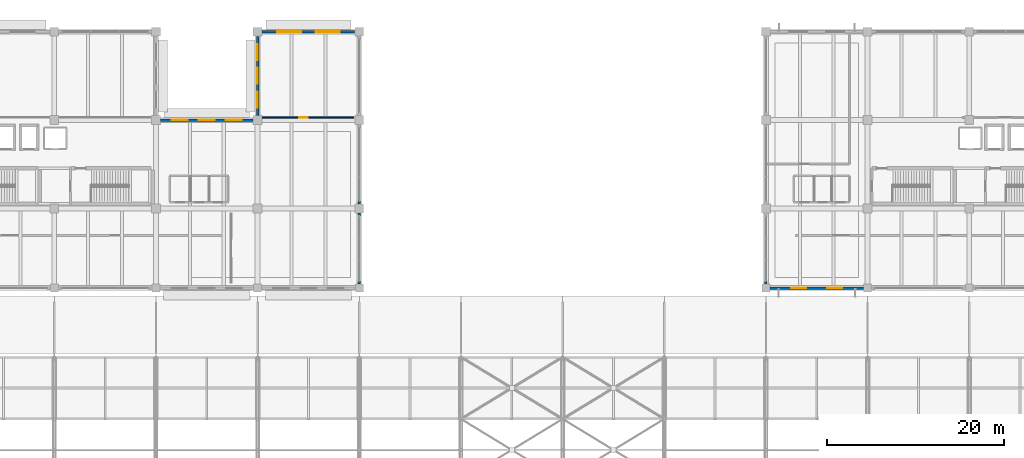
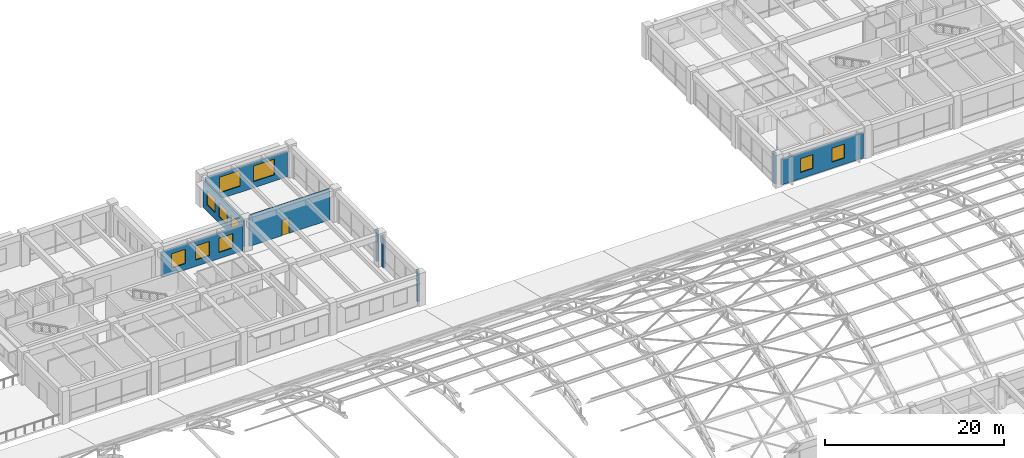
# One storey, part 139 of 154: 10 windows, 9 walls, 1 door, 11 openings.
"""IFC4 building model written with IfcOpenShell, lengths in metres."""

from ifc_helpers import new_model, si_unit, direction, frame, frame_2d, origin, place, context, subcontext, project, spatial, rectangle, extrude, material, layer, layer_set, type_object, element, fill, save


model = new_model("IFC4")

# Units and contexts
model_context = context("Model", 3, precision=1e-05, world=origin(), true_north=direction((0.0, 1.0)))
body_context = subcontext(model_context, "Body", "Model", "MODEL_VIEW")
ifc_project = project(units=[si_unit("LENGTHUNIT", "METRE"), si_unit("AREAUNIT", "SQUARE_METRE"), si_unit("VOLUMEUNIT", "CUBIC_METRE"), si_unit("PLANEANGLEUNIT", "RADIAN"), si_unit("MASSUNIT", "GRAM", prefix="KILO")], contexts=[model_context])

# Site, building, storey
site_placement = place(None, origin())
site = spatial("IfcSite", under=ifc_project, at=site_placement, CompositionType="ELEMENT")
building_placement = place(site_placement, origin())
building = spatial("IfcBuilding", under=site, at=building_placement, Name="Ologun Quay Terminus", CompositionType="ELEMENT")
storey_placement = place(building_placement, frame((0.0, 0.0, 13.800048828125)))
storey = spatial("IfcBuildingStorey", under=building, at=storey_placement, Name="L03", CompositionType="ELEMENT", Elevation=13.800048828125)

# Walls
ifc_material_1 = material(Name="Concrete C40/50", Category="concrete")
ifc_layer_1 = layer(ifc_material_1, 0.280029296875)
ifc_layer_set_1 = layer_set([ifc_layer_1], Name="Concrete C40/50")
wall_type_1 = type_object("IfcWallType", Name="Courtyard Wing Spandrel Concrete Wall 280", PredefinedType="SOLIDWALL", material=ifc_layer_set_1)
for number, where, z_axis, x_axis, name in (
    (1, (69.0, 86.27001953125, 0.0), (0.0, 0.0, 1.0), (0.0, 1.0, 0.0), "Curtain Wall Jamb Pier CW-L03-111-J1"),
    (2, (69.0, 93.929931640625, 0.0), (0.0, 0.0, 1.0), (0.0, 1.0, 0.0), "Curtain Wall Jamb Pier CW-L03-111-J2"),
):
    element("IfcWall", number, at=place(storey_placement, frame(where, z_axis=z_axis, x_axis=x_axis)), inside=storey, type_object=wall_type_1, Name=name, PredefinedType="SOLIDWALL", context=body_context, shape_type="SweptSolid", body=[
        extrude(rectangle(XDim=0.35009765625, YDim=0.280029296875, at=frame_2d((0.175048828125, 0.0))), origin(), (0.0, 0.0, 1.0), 4.22998046875),
    ])
wall_1_placement = place(storey_placement, frame((69.0, 95.320068359375, 0.0), z_axis=(0.0, 0.0, 1.0), x_axis=(0.0, 1.0, 0.0)))
element("IfcWall", 3, at=wall_1_placement, inside=storey, type_object=wall_type_1, Name="Curtain Wall Jamb Pier CW-L03-112-J1", PredefinedType="SOLIDWALL", context=body_context, shape_type="SweptSolid", body=[
    extrude(rectangle(XDim=0.349853515625, YDim=0.280029296875, at=frame_2d((0.1748046875, 0.0))), origin(), (0.0, 0.0, 1.0), 4.22998046875),
])

# Wall, openings, windows
wall_2_placement = place(storey_placement, frame((58.02001953125, 114.800048828125, 0.0), z_axis=(0.0, 0.0, 1.0), x_axis=(1.0, 0.0, 0.0)))
wall_2 = element("IfcWall", 4, at=wall_2_placement, inside=storey, type_object=wall_type_1, Name="EW-02 Facade Wall WEW-WW-N-L03-8", PredefinedType="SOLIDWALL", context=body_context, shape_type="SweptSolid", body=[
    extrude(rectangle(XDim=10.4599609375, YDim=0.280029296875, at=frame_2d((5.22998046875, 0.0))), origin(), (0.0, 0.0, 1.0), 3.449951171875),
])
opening_1_placement = place(wall_2_placement, frame((1.686767578125, 0.0, 0.85009765625)))
opening_1 = element("IfcOpeningElement", 5, at=opening_1_placement, cuts=wall_2, Name="Opening WN-292", PredefinedType="OPENING", context=body_context, shape_type="SweptSolid", body=[
    extrude(rectangle(XDim=2.699951171875, YDim=2.14990234375, at=frame_2d((1.35009765625, 1.074951171875))), frame((0.0, 0.14990234375, 0.0), z_axis=(0.0, -1.0, 0.0), x_axis=(1.0, 0.0, 0.0)), (0.0, 0.0, 1.0), 0.300048828125),
])
opening_2_placement = place(wall_2_placement, frame((6.0732421875, 0.0, 0.85009765625)))
opening_2 = element("IfcOpeningElement", 6, at=opening_2_placement, cuts=wall_2, Name="Opening WN-293", PredefinedType="OPENING", context=body_context, shape_type="SweptSolid", body=[
    extrude(rectangle(XDim=2.699951171875, YDim=2.14990234375, at=frame_2d((1.35009765625, 1.074951171875))), frame((0.0, 0.14990234375, 0.0), z_axis=(0.0, -1.0, 0.0), x_axis=(1.0, 0.0, 0.0)), (0.0, 0.0, 1.0), 0.300048828125),
])
ifc_material_2 = material(Name="Glass", Category="glass")
window_type_1 = type_object("IfcWindowType", Name="Lagoon Restaurant Panorama Window 2700x2150", PartitioningType="SINGLE_PANEL", PredefinedType="WINDOW", material=ifc_material_2)
window_1_placement = place(opening_1_placement, origin())
window_1 = element("IfcWindow", 7, at=window_1_placement, inside=storey, type_object=window_type_1, Name="W-15 Window WN-292", OverallHeight=2.14990234375, OverallWidth=2.699951171875, PartitioningType="SINGLE_PANEL", PredefinedType="WINDOW", context=body_context, shape_type="SweptSolid", body=[
    extrude(rectangle(XDim=2.699951171875, YDim=2.14990234375, at=frame_2d((1.35009765625, 1.074951171875))), frame((0.0, 0.030029296875, 0.0), z_axis=(0.0, -1.0, 0.0), x_axis=(1.0, 0.0, 0.0)), (0.0, 0.0, 1.0), 0.06005859375),
])
fill(opening_1, window_1)
window_2_placement = place(opening_2_placement, origin())
window_2 = element("IfcWindow", 8, at=window_2_placement, inside=storey, type_object=window_type_1, Name="W-15 Window WN-293", OverallHeight=2.14990234375, OverallWidth=2.699951171875, PartitioningType="SINGLE_PANEL", PredefinedType="WINDOW", context=body_context, shape_type="SweptSolid", body=[
    extrude(rectangle(XDim=2.699951171875, YDim=2.14990234375, at=frame_2d((1.35009765625, 1.074951171875))), frame((0.0, 0.030029296875, 0.0), z_axis=(0.0, -1.0, 0.0), x_axis=(1.0, 0.0, 0.0)), (0.0, 0.0, 1.0), 0.06005859375),
])
fill(opening_2, window_2)

wall_3_placement = place(storey_placement, frame((57.5, 105.320068359375, 0.0), z_axis=(0.0, 0.0, 1.0), x_axis=(0.0, 1.0, 0.0)))
wall_3 = element("IfcWall", 9, at=wall_3_placement, inside=storey, type_object=wall_type_1, Name="EW-02 Facade Wall WEW-WW-O-L03-9", PredefinedType="SOLIDWALL", context=body_context, shape_type="SweptSolid", body=[
    extrude(rectangle(XDim=8.9599609375, YDim=0.280029296875, at=frame_2d((4.47998046875, 0.0))), origin(), (0.0, 0.0, 1.0), 3.449951171875),
])
opening_3_placement = place(wall_3_placement, frame((0.889892578125, 0.0, 0.85009765625)))
opening_3 = element("IfcOpeningElement", 10, at=opening_3_placement, cuts=wall_3, Name="Opening WN-294", PredefinedType="OPENING", context=body_context, shape_type="SweptSolid", body=[
    extrude(rectangle(XDim=1.800048828125, YDim=1.949951171875, at=frame_2d((0.89990234375, 0.97509765625))), frame((0.0, 0.14990234375, 0.0), z_axis=(0.0, -1.0, 0.0), x_axis=(1.0, 0.0, 0.0)), (0.0, 0.0, 1.0), 0.300048828125),
])
opening_4_placement = place(wall_3_placement, frame((3.580078125, 0.0, 0.85009765625)))
opening_4 = element("IfcOpeningElement", 11, at=opening_4_placement, cuts=wall_3, Name="Opening WN-295", PredefinedType="OPENING", context=body_context, shape_type="SweptSolid", body=[
    extrude(rectangle(XDim=1.800048828125, YDim=1.949951171875, at=frame_2d((0.89990234375, 0.97509765625))), frame((0.0, 0.14990234375, 0.0), z_axis=(0.0, -1.0, 0.0), x_axis=(1.0, 0.0, 0.0)), (0.0, 0.0, 1.0), 0.300048828125),
])
opening_5_placement = place(wall_3_placement, frame((6.27001953125, 0.0, 0.85009765625)))
opening_5 = element("IfcOpeningElement", 12, at=opening_5_placement, cuts=wall_3, Name="Opening WN-296", PredefinedType="OPENING", context=body_context, shape_type="SweptSolid", body=[
    extrude(rectangle(XDim=1.800048828125, YDim=1.949951171875, at=frame_2d((0.89990234375, 0.97509765625))), frame((0.0, 0.14990234375, 0.0), z_axis=(0.0, -1.0, 0.0), x_axis=(1.0, 0.0, 0.0)), (0.0, 0.0, 1.0), 0.300048828125),
])
ifc_material_3 = material(Name="Glass", Category="glass")
window_type_2 = type_object("IfcWindowType", Name="Waterfront Pavilion Module Window 1800x1950", PartitioningType="SINGLE_PANEL", PredefinedType="WINDOW", material=ifc_material_3)
window_3_placement = place(opening_3_placement, origin())
window_3 = element("IfcWindow", 13, at=window_3_placement, inside=storey, type_object=window_type_2, Name="W-11 Window WN-294", OverallHeight=1.949951171875, OverallWidth=1.800048828125, PartitioningType="SINGLE_PANEL", PredefinedType="WINDOW", context=body_context, shape_type="SweptSolid", body=[
    extrude(rectangle(XDim=1.800048828125, YDim=1.949951171875, at=frame_2d((0.89990234375, 0.97509765625))), frame((0.0, 0.030029296875, 0.0), z_axis=(0.0, -1.0, 0.0), x_axis=(1.0, 0.0, 0.0)), (0.0, 0.0, 1.0), 0.06005859375),
])
fill(opening_3, window_3)
window_4_placement = place(opening_4_placement, origin())
window_4 = element("IfcWindow", 14, at=window_4_placement, inside=storey, type_object=window_type_2, Name="W-11 Window WN-295", OverallHeight=1.949951171875, OverallWidth=1.800048828125, PartitioningType="SINGLE_PANEL", PredefinedType="WINDOW", context=body_context, shape_type="SweptSolid", body=[
    extrude(rectangle(XDim=1.800048828125, YDim=1.949951171875, at=frame_2d((0.89990234375, 0.97509765625))), frame((0.0, 0.030029296875, 0.0), z_axis=(0.0, -1.0, 0.0), x_axis=(1.0, 0.0, 0.0)), (0.0, 0.0, 1.0), 0.06005859375),
])
fill(opening_4, window_4)
window_5_placement = place(opening_5_placement, origin())
window_5 = element("IfcWindow", 15, at=window_5_placement, inside=storey, type_object=window_type_2, Name="W-11 Window WN-296", OverallHeight=1.949951171875, OverallWidth=1.800048828125, PartitioningType="SINGLE_PANEL", PredefinedType="WINDOW", context=body_context, shape_type="SweptSolid", body=[
    extrude(rectangle(XDim=1.800048828125, YDim=1.949951171875, at=frame_2d((0.89990234375, 0.97509765625))), frame((0.0, 0.030029296875, 0.0), z_axis=(0.0, -1.0, 0.0), x_axis=(1.0, 0.0, 0.0)), (0.0, 0.0, 1.0), 0.06005859375),
])
fill(opening_5, window_5)

wall_4_placement = place(storey_placement, frame((46.52001953125, 104.800048828125, 0.0), z_axis=(0.0, 0.0, 1.0), x_axis=(1.0, 0.0, 0.0)))
wall_4 = element("IfcWall", 16, at=wall_4_placement, inside=storey, type_object=wall_type_1, Name="EW-02 Facade Wall WEW-WW-O-L03-10", PredefinedType="SOLIDWALL", context=body_context, shape_type="SweptSolid", body=[
    extrude(rectangle(XDim=10.4599609375, YDim=0.280029296875, at=frame_2d((5.22998046875, 0.0))), origin(), (0.0, 0.0, 1.0), 3.449951171875),
])
opening_6_placement = place(wall_4_placement, frame((1.264892578125, 0.0, 0.85009765625)))
opening_6 = element("IfcOpeningElement", 17, at=opening_6_placement, cuts=wall_4, Name="Opening WN-297", PredefinedType="OPENING", context=body_context, shape_type="SweptSolid", body=[
    extrude(rectangle(XDim=1.800048828125, YDim=1.949951171875, at=frame_2d((0.89990234375, 0.97509765625))), frame((0.0, 0.14990234375, 0.0), z_axis=(0.0, -1.0, 0.0), x_axis=(1.0, 0.0, 0.0)), (0.0, 0.0, 1.0), 0.300048828125),
])
opening_7_placement = place(wall_4_placement, frame((4.330078125, 0.0, 0.85009765625)))
opening_7 = element("IfcOpeningElement", 18, at=opening_7_placement, cuts=wall_4, Name="Opening WN-298", PredefinedType="OPENING", context=body_context, shape_type="SweptSolid", body=[
    extrude(rectangle(XDim=1.800048828125, YDim=1.949951171875, at=frame_2d((0.89990234375, 0.97509765625))), frame((0.0, 0.14990234375, 0.0), z_axis=(0.0, -1.0, 0.0), x_axis=(1.0, 0.0, 0.0)), (0.0, 0.0, 1.0), 0.300048828125),
])
opening_8_placement = place(wall_4_placement, frame((7.39501953125, 0.0, 0.85009765625)))
opening_8 = element("IfcOpeningElement", 19, at=opening_8_placement, cuts=wall_4, Name="Opening WN-299", PredefinedType="OPENING", context=body_context, shape_type="SweptSolid", body=[
    extrude(rectangle(XDim=1.800048828125, YDim=1.949951171875, at=frame_2d((0.89990234375, 0.97509765625))), frame((0.0, 0.14990234375, 0.0), z_axis=(0.0, -1.0, 0.0), x_axis=(1.0, 0.0, 0.0)), (0.0, 0.0, 1.0), 0.300048828125),
])
window_6_placement = place(opening_6_placement, origin())
window_6 = element("IfcWindow", 20, at=window_6_placement, inside=storey, type_object=window_type_2, Name="W-11 Window WN-297", OverallHeight=1.949951171875, OverallWidth=1.800048828125, PartitioningType="SINGLE_PANEL", PredefinedType="WINDOW", context=body_context, shape_type="SweptSolid", body=[
    extrude(rectangle(XDim=1.800048828125, YDim=1.949951171875, at=frame_2d((0.89990234375, 0.97509765625))), frame((0.0, 0.030029296875, 0.0), z_axis=(0.0, -1.0, 0.0), x_axis=(1.0, 0.0, 0.0)), (0.0, 0.0, 1.0), 0.06005859375),
])
fill(opening_6, window_6)
window_7_placement = place(opening_7_placement, origin())
window_7 = element("IfcWindow", 21, at=window_7_placement, inside=storey, type_object=window_type_2, Name="W-11 Window WN-298", OverallHeight=1.949951171875, OverallWidth=1.800048828125, PartitioningType="SINGLE_PANEL", PredefinedType="WINDOW", context=body_context, shape_type="SweptSolid", body=[
    extrude(rectangle(XDim=1.800048828125, YDim=1.949951171875, at=frame_2d((0.89990234375, 0.97509765625))), frame((0.0, 0.030029296875, 0.0), z_axis=(0.0, -1.0, 0.0), x_axis=(1.0, 0.0, 0.0)), (0.0, 0.0, 1.0), 0.06005859375),
])
fill(opening_7, window_7)
window_8_placement = place(opening_8_placement, origin())
window_8 = element("IfcWindow", 22, at=window_8_placement, inside=storey, type_object=window_type_2, Name="W-11 Window WN-299", OverallHeight=1.949951171875, OverallWidth=1.800048828125, PartitioningType="SINGLE_PANEL", PredefinedType="WINDOW", context=body_context, shape_type="SweptSolid", body=[
    extrude(rectangle(XDim=1.800048828125, YDim=1.949951171875, at=frame_2d((0.89990234375, 0.97509765625))), frame((0.0, 0.030029296875, 0.0), z_axis=(0.0, -1.0, 0.0), x_axis=(1.0, 0.0, 0.0)), (0.0, 0.0, 1.0), 0.06005859375),
])
fill(opening_8, window_8)

wall_5_placement = place(storey_placement, frame((115.469970703125, 85.800048828125, 0.0), z_axis=(0.0, 0.0, 1.0), x_axis=(1.0, 0.0, 0.0)))
wall_5 = element("IfcWall", 23, at=wall_5_placement, inside=storey, type_object=wall_type_1, Name="EW-02 Facade Wall WEW-EW-L03-1", PredefinedType="SOLIDWALL", context=body_context, shape_type="SweptSolid", body=[
    extrude(rectangle(XDim=10.56005859375, YDim=0.280029296875, at=frame_2d((5.280029296875, 0.0))), origin(), (0.0, 0.0, 1.0), 3.449951171875),
])
opening_9_placement = place(wall_5_placement, frame((2.419921875, 0.0, 0.85009765625)))
opening_9 = element("IfcOpeningElement", 24, at=opening_9_placement, cuts=wall_5, Name="Opening WN-415", PredefinedType="OPENING", context=body_context, shape_type="SweptSolid", body=[
    extrude(rectangle(XDim=1.64990234375, YDim=1.89990234375, at=frame_2d((0.824951171875, 0.949951171875))), frame((0.0, 0.14990234375, 0.0), z_axis=(0.0, -1.0, 0.0), x_axis=(1.0, 0.0, 0.0)), (0.0, 0.0, 1.0), 0.300048828125),
])
opening_10_placement = place(wall_5_placement, frame((6.489990234375, 0.0, 0.85009765625)))
opening_10 = element("IfcOpeningElement", 25, at=opening_10_placement, cuts=wall_5, Name="Opening WN-416", PredefinedType="OPENING", context=body_context, shape_type="SweptSolid", body=[
    extrude(rectangle(XDim=1.64990234375, YDim=1.89990234375, at=frame_2d((0.824951171875, 0.949951171875))), frame((0.0, 0.14990234375, 0.0), z_axis=(0.0, -1.0, 0.0), x_axis=(1.0, 0.0, 0.0)), (0.0, 0.0, 1.0), 0.300048828125),
])
ifc_material_4 = material(Name="Glass", Category="glass")
window_type_3 = type_object("IfcWindowType", Name="Operations Admin Solar Window 1650x1900", PartitioningType="SINGLE_PANEL", PredefinedType="WINDOW", material=ifc_material_4)
window_9_placement = place(opening_9_placement, origin())
window_9 = element("IfcWindow", 26, at=window_9_placement, inside=storey, type_object=window_type_3, Name="W-21 Window WN-415", OverallHeight=1.89990234375, OverallWidth=1.64990234375, PartitioningType="SINGLE_PANEL", PredefinedType="WINDOW", context=body_context, shape_type="SweptSolid", body=[
    extrude(rectangle(XDim=1.64990234375, YDim=1.89990234375, at=frame_2d((0.824951171875, 0.949951171875))), frame((0.0, 0.030029296875, 0.0), z_axis=(0.0, -1.0, 0.0), x_axis=(1.0, 0.0, 0.0)), (0.0, 0.0, 1.0), 0.06005859375),
])
fill(opening_9, window_9)
window_10_placement = place(opening_10_placement, origin())
window_10 = element("IfcWindow", 27, at=window_10_placement, inside=storey, type_object=window_type_3, Name="W-21 Window WN-416", OverallHeight=1.89990234375, OverallWidth=1.64990234375, PartitioningType="SINGLE_PANEL", PredefinedType="WINDOW", context=body_context, shape_type="SweptSolid", body=[
    extrude(rectangle(XDim=1.64990234375, YDim=1.89990234375, at=frame_2d((0.824951171875, 0.949951171875))), frame((0.0, 0.030029296875, 0.0), z_axis=(0.0, -1.0, 0.0), x_axis=(1.0, 0.0, 0.0)), (0.0, 0.0, 1.0), 0.06005859375),
])
fill(opening_10, window_10)

# Wall
wall_6_placement = place(storey_placement, frame((115.0, 86.27001953125, 0.0), z_axis=(0.0, 0.0, 1.0), x_axis=(0.0, 1.0, 0.0)))
element("IfcWall", 28, at=wall_6_placement, inside=storey, type_object=wall_type_1, Name="Curtain Wall Jamb Pier CW-L03-142-J1", PredefinedType="SOLIDWALL", context=body_context, shape_type="SweptSolid", body=[
    extrude(rectangle(XDim=0.35009765625, YDim=0.280029296875, at=frame_2d((0.175048828125, 0.0))), origin(), (0.0, 0.0, 1.0), 4.22998046875),
])

# Wall, opening, door
ifc_material_5 = material(Name="Concrete C40/50", Category="concrete")
ifc_layer_2 = layer(ifc_material_5, 0.159912109375)
ifc_layer_set_2 = layer_set([ifc_layer_2], Name="Concrete C40/50")
wall_type_2 = type_object("IfcWallType", Name="Retail & Lounge Separation Wall 160", PredefinedType="PARTITIONING", material=ifc_layer_set_2)
wall_7_placement = place(storey_placement, frame((58.0, 105.10009765625, 0.0), z_axis=(0.0, 0.0, 1.0), x_axis=(1.0, 0.0, 0.0)))
wall_7 = element("IfcWall", 29, at=wall_7_placement, inside=storey, type_object=wall_type_2, Name="PW-04 Partition L03-RestPantry-S", PredefinedType="PARTITIONING", context=body_context, shape_type="SweptSolid", body=[
    extrude(rectangle(XDim=10.39990234375, YDim=0.159912109375, at=frame_2d((5.199951171875, 0.0))), origin(), (0.0, 0.0, 1.0), 4.219970703125),
])
opening_11_placement = place(wall_7_placement, frame((4.199951171875, 0.0, 0.0)))
opening_11 = element("IfcOpeningElement", 30, at=opening_11_placement, cuts=wall_7, Name="Opening ID-327", PredefinedType="OPENING", context=body_context, shape_type="SweptSolid", body=[
    extrude(rectangle(XDim=0.9599609375, YDim=2.10009765625, at=frame_2d((0.47998046875, 1.050048828125))), frame((0.0, 0.08984375, 0.0), z_axis=(0.0, -1.0, 0.0), x_axis=(1.0, 0.0, 0.0)), (0.0, 0.0, 1.0), 0.179931640625),
])
ifc_material_6 = material(Name="Timber Hardwood", Category="wood")
door_type = type_object("IfcDoorType", Name="Store & Pantry Service Door 960x2100", OperationType="SINGLE_SWING_RIGHT", PredefinedType="DOOR", material=ifc_material_6)
door_placement = place(opening_11_placement, origin())
door = element("IfcDoor", 31, at=door_placement, inside=storey, type_object=door_type, Name="ID-18 Door ID-327", OperationType="SINGLE_SWING_RIGHT", OverallHeight=2.10009765625, OverallWidth=0.9599609375, PredefinedType="DOOR", context=body_context, shape_type="SweptSolid", body=[
    extrude(rectangle(XDim=0.9599609375, YDim=2.10009765625, at=frame_2d((0.47998046875, 1.050048828125))), frame((0.0, 0.02490234375, 0.0), z_axis=(0.0, -1.0, 0.0), x_axis=(1.0, 0.0, 0.0)), (0.0, 0.0, 1.0), 0.050048828125),
])
fill(opening_11, door)

save(model, "model.ifc")
